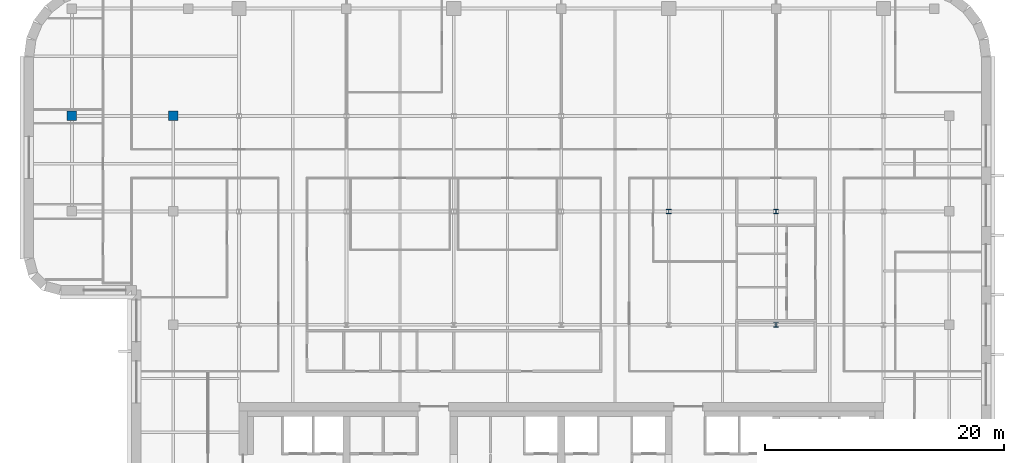
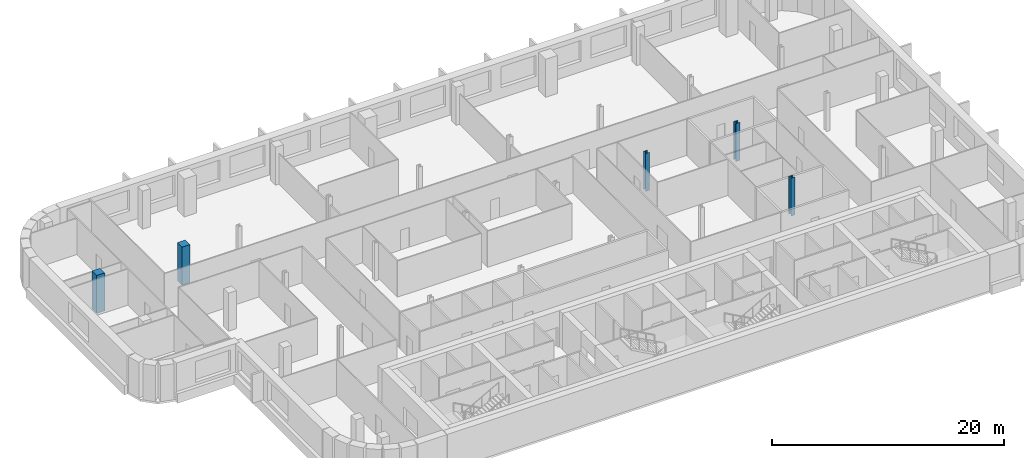
# One storey, part 2 of 17: 5 columns.
"""IFC4 building model written with IfcOpenShell, lengths in metres."""

import ifcopenshell
import ifcopenshell.guid

model = None  # the IFC model being written
_history = None  # IfcOwnerHistory: only IFC2X3 demands one
_inside = {}  # id of a spatial element -> (the spatial element, [elements in it])
_under = {}  # id of a project, library or spatial element -> (it, [spatial elements below it])
_declared = {}  # id of a project -> (the project, [libraries it declares])
_typed = {}  # id of a type object -> (the type object, [elements of that type])
_made_of = {}  # id of a material, layer set ... -> (it, [elements and type objects made of it])


def new_model(schema):
    """Start an empty IFC model of exactly this schema.

    Asked for "IFC4X3", IfcOpenShell would pick the latest addendum, in which some entities
    have other attributes; the version numbers below select the first issue.
    IFC2X3 requires an IfcOwnerHistory on every rooted entity: one is made here for all.
    """
    global model, _history
    if schema == "IFC4X3":
        model = ifcopenshell.file(schema_version=(4, 3, 0, 0))
    else:
        model = ifcopenshell.file(schema=schema)
    _inside.clear()
    _under.clear()
    _declared.clear()
    _typed.clear()
    _made_of.clear()
    _history = None
    if model.schema == "IFC2X3":
        org = make("IfcOrganization", Name="unknown")
        user = make(
            "IfcPersonAndOrganization",
            ThePerson=make("IfcPerson", FamilyName="unknown"),
            TheOrganization=org,
        )
        app = make(
            "IfcApplication",
            ApplicationDeveloper=org,
            Version="unknown",
            ApplicationFullName="unknown",
            ApplicationIdentifier="unknown",
        )
        _history = make(
            "IfcOwnerHistory",
            OwningUser=user,
            OwningApplication=app,
            ChangeAction="ADDED",
            CreationDate=0,
        )
    return model


def make(cls, **values):
    """One entity of the class cls with the attributes given. An attribute that is None is left unset."""
    return model.create_entity(
        cls, **{name: value for name, value in values.items() if value is not None}
    )


def rooted(cls, **values):
    """An entity with a GlobalId (a new one), such as an element, a storey or a relation."""
    return make(cls, GlobalId=ifcopenshell.guid.new(), OwnerHistory=_history, **values)


def si_unit(unit_type, name, prefix=None):
    """IfcSIUnit, for example si_unit("LENGTHUNIT", "METRE", prefix="MILLI")."""
    return make("IfcSIUnit", UnitType=unit_type, Prefix=prefix, Name=name)


def assignment(units):
    """IfcUnitAssignment: the units of a project."""
    return None if units is None else make("IfcUnitAssignment", Units=units)


def point(xyz):
    """IfcCartesianPoint."""
    return None if xyz is None else make("IfcCartesianPoint", Coordinates=xyz)


def direction(xyz):
    """IfcDirection."""
    return None if xyz is None else make("IfcDirection", DirectionRatios=xyz)


def frame(location, z_axis=None, x_axis=None):
    """IfcAxis2Placement3D, a coordinate frame: its origin and axes. An axis left out is left unset."""
    return make(
        "IfcAxis2Placement3D",
        Location=point(location),
        Axis=direction(z_axis),
        RefDirection=direction(x_axis),
    )


def frame_2d(location, x_axis=None):
    """IfcAxis2Placement2D, a coordinate frame in the plane: its origin and x axis."""
    return make(
        "IfcAxis2Placement2D", Location=point(location), RefDirection=direction(x_axis)
    )


def origin():
    """The frame at (0, 0, 0) with its axes left unset."""
    return frame((0.0, 0.0, 0.0))


def origin_2d():
    """The frame at (0, 0) in the plane with its x axis left unset."""
    return frame_2d((0.0, 0.0))


def place(relative_to, where):
    """IfcLocalPlacement: puts the frame where relative to a parent placement (None: the world)."""
    return make(
        "IfcLocalPlacement", PlacementRelTo=relative_to, RelativePlacement=where
    )


def context(
    kind, dimensions, precision=None, world=None, true_north=None, identifier=None
):
    """IfcGeometricRepresentationContext, for example the 3D "Model" context."""
    return make(
        "IfcGeometricRepresentationContext",
        ContextIdentifier=identifier,
        ContextType=kind,
        CoordinateSpaceDimension=dimensions,
        Precision=precision,
        WorldCoordinateSystem=world,
        TrueNorth=true_north,
    )


def subcontext(parent, identifier, kind, view, scale=None):
    """IfcGeometricRepresentationSubContext, for example "Body" below "Model"."""
    return make(
        "IfcGeometricRepresentationSubContext",
        ContextIdentifier=identifier,
        ContextType=kind,
        ParentContext=parent,
        TargetScale=scale,
        TargetView=view,
    )


def project(units=None, contexts=None):
    """IfcProject with its units and contexts."""
    return rooted(
        "IfcProject",
        Name="project",
        RepresentationContexts=contexts,
        UnitsInContext=assignment(units),
    )


def spatial(cls, under=None, at=None, **own):
    """A site, building, storey or space (cls), placed at a placement, below another one or the project."""
    s = rooted(cls, ObjectPlacement=at, **own)
    if under is not None:
        _under.setdefault(under.id(), (under, []))[1].append(s)
    return s


def profile(cls, at=None, kind="AREA", **sizes):
    """A parametric profile (cls). Its sizes go by their IFC names, for example OverallWidth=200.0."""
    return make(cls, ProfileType=kind, Position=at, **sizes)


def rectangle(**sizes):
    """IfcRectangleProfileDef."""
    return profile("IfcRectangleProfileDef", **sizes)


def i_section(**sizes):
    """IfcIShapeProfileDef."""
    return profile("IfcIShapeProfileDef", **sizes)


def extrude(swept, where, along, depth):
    """IfcExtrudedAreaSolid: the profile swept, set in the frame where, extruded along a direction by depth."""
    return make(
        "IfcExtrudedAreaSolid",
        SweptArea=swept,
        Position=where,
        ExtrudedDirection=direction(along),
        Depth=depth,
    )


def shape(context_of_items, identifier, shape_type, items):
    """IfcShapeRepresentation: the items that make up one representation, for example the "Body"."""
    return make(
        "IfcShapeRepresentation",
        ContextOfItems=context_of_items,
        RepresentationIdentifier=identifier,
        RepresentationType=shape_type,
        Items=items,
    )


def material(Name=None, Category=None):
    """IfcMaterial."""
    return make("IfcMaterial", Name=Name, Category=Category)


def material_profile(
    of_material, cross_section, Name=None, Category=None, Priority=None
):
    """IfcMaterialProfile: a cross section and its material."""
    return make(
        "IfcMaterialProfile",
        Name=Name,
        Material=of_material,
        Profile=cross_section,
        Priority=Priority,
        Category=Category,
    )


def profile_set(profiles, Name=None, composite=None):
    """IfcMaterialProfileSet."""
    return make(
        "IfcMaterialProfileSet",
        Name=Name,
        MaterialProfiles=profiles,
        CompositeProfile=composite,
    )


def made_of(thing, what):
    """Note that an element or type object is made of a material, layer set ...; save() writes the relation."""
    if what is not None:
        _made_of.setdefault(what.id(), (what, []))[1].append(thing)
    return thing


def type_object(cls, material=None, **own):
    """A type object (cls), such as IfcWallType, which elements share."""
    return made_of(rooted(cls, **own), material)


def element(
    cls,
    number,
    at=None,
    inside=None,
    cuts=None,
    type_object=None,
    material=None,
    context=None,
    identifier="Body",
    shape_type=None,
    held_by="IfcProductDefinitionShape",
    body=None,
    shapes=None,
    **own,
):
    """One element of the class cls, such as IfcWall. Its Tag is "e" and its number.

    at: its placement. inside: the storey or other place that contains it. cuts: it is an
    opening in that element (IfcRelVoidsElement). A single representation is given by context,
    identifier, shape_type and body (its items); several are given by shapes. held_by: the class
    of the entity that holds the representations. save() writes the other relations.
    """
    e = rooted(cls, Tag="e%d" % number, ObjectPlacement=at, **own)
    if body is not None:
        shapes = [shape(context, identifier, shape_type, body)]
    if shapes is not None:
        e.Representation = make(held_by, Representations=shapes)
    if inside is not None:
        _inside.setdefault(inside.id(), (inside, []))[1].append(e)
    if cuts is not None:
        rooted(
            "IfcRelVoidsElement", RelatingBuildingElement=cuts, RelatedOpeningElement=e
        )
    if type_object is not None:
        _typed.setdefault(type_object.id(), (type_object, []))[1].append(e)
    return made_of(e, material)


def aggregate(whole, parts):
    """IfcRelAggregates: a whole, such as a stair, and the parts it consists of."""
    return rooted("IfcRelAggregates", RelatingObject=whole, RelatedObjects=parts)


def save(model, path):
    """Write the relations noted so far, then the file.

    IfcRelAggregates (storeys below a building ...), IfcRelContainedInSpatialStructure (elements
    in a storey), IfcRelDefinesByType, IfcRelAssociatesMaterial and IfcRelDeclares: one each for
    every whole, place, type object, material and project.
    """
    for whole, parts in _under.values():
        aggregate(whole, parts)
    for where, things in _inside.values():
        rooted(
            "IfcRelContainedInSpatialStructure",
            RelatedElements=things,
            RelatingStructure=where,
        )
    for kind, things in _typed.values():
        rooted("IfcRelDefinesByType", RelatedObjects=things, RelatingType=kind)
    for what, things in _made_of.values():
        rooted("IfcRelAssociatesMaterial", RelatedObjects=things, RelatingMaterial=what)
    for by, libraries in _declared.values():
        rooted("IfcRelDeclares", RelatingContext=by, RelatedDefinitions=libraries)
    model.write(path)


model = new_model("IFC4")

# Units and contexts
model_context = context("Model", 3, precision=1e-05, world=origin(), true_north=direction((0.0, 1.0)))
body_context = subcontext(model_context, "Body", "Model", "MODEL_VIEW")
ifc_project = project(units=[si_unit("LENGTHUNIT", "METRE"), si_unit("AREAUNIT", "SQUARE_METRE"), si_unit("VOLUMEUNIT", "CUBIC_METRE"), si_unit("PLANEANGLEUNIT", "RADIAN"), si_unit("MASSUNIT", "GRAM", prefix="KILO")], contexts=[model_context])

# Site, building, storey
site_placement = place(None, origin())
site = spatial("IfcSite", under=ifc_project, at=site_placement, CompositionType="ELEMENT")
building_placement = place(site_placement, origin())
building = spatial("IfcBuilding", under=site, at=building_placement, Name="Zellij Exchange Tower", CompositionType="ELEMENT")
storey_placement = place(building_placement, frame((0.0, 0.0, 224.5)))
storey = spatial("IfcBuildingStorey", under=building, at=storey_placement, Name="L52", CompositionType="ELEMENT", Elevation=224.5)

# Columns
ifc_material_1 = material(Name="Concrete C50/60", Category="concrete")
ifc_material_profile_1 = material_profile(ifc_material_1, rectangle(XDim=0.800048828125, YDim=0.800048828125, at=origin_2d()), Name="STR-COLUMN RC800x800 C50/60")
ifc_profile_set_1 = profile_set([ifc_material_profile_1], Name="Concrete C50/60")
column_type_1 = type_object("IfcColumnType", Name="STR-COLUMN RC800x800 C50/60", PredefinedType="COLUMN", material=ifc_profile_set_1)
for number, where, z_axis, x_axis, name in (
    (1, (-41.0, 22.0, 0.0), (0.0, 0.0, 1.0), (1.0, 0.0, 0.0), "C15"),
    (2, (-32.5, 22.0, 0.0), (0.0, 0.0, 1.0), (1.0, 0.0, 0.0), "C15"),
):
    element("IfcColumn", number, at=place(storey_placement, frame(where, z_axis=z_axis, x_axis=x_axis)), inside=storey, type_object=column_type_1, Name=name, PredefinedType="COLUMN", context=body_context, shape_type="SweptSolid", body=[
        extrude(rectangle(XDim=0.800048828125, YDim=0.800048828125, at=origin_2d()), origin(), (0.0, 0.0, 1.0), 4.0),
    ])
ifc_material_2 = material(Name="Structural steel ASTM A992 Gr 50", Category="steel")
ifc_material_profile_2 = material_profile(ifc_material_2, i_section(OverallWidth=0.398681640625, OverallDepth=0.385986328125, WebThickness=0.02099609375, FlangeThickness=0.033203125, at=origin_2d()), Name="W14x176")
ifc_profile_set_2 = profile_set([ifc_material_profile_2], Name="Structural steel ASTM A992 Gr 50")
column_type_2 = type_object("IfcColumnType", Name="STR-COLUMN W14x176", PredefinedType="COLUMN", material=ifc_profile_set_2)
for number, where, z_axis, x_axis, name in (
    (3, (18.0, 4.5, 0.0), (0.0, 0.0, 1.0), (1.0, 0.0, 0.0), "C2"),
    (4, (9.0, 14.0, 0.0), (0.0, 0.0, 1.0), (1.0, 0.0, 0.0), "C2"),
    (5, (18.0, 14.0, 0.0), (0.0, 0.0, 1.0), (1.0, 0.0, 0.0), "C2"),
):
    element("IfcColumn", number, at=place(storey_placement, frame(where, z_axis=z_axis, x_axis=x_axis)), inside=storey, type_object=column_type_2, Name=name, PredefinedType="COLUMN", context=body_context, shape_type="SweptSolid", body=[
        extrude(i_section(OverallWidth=0.398681640625, OverallDepth=0.385986328125, WebThickness=0.02099609375, FlangeThickness=0.033203125, at=origin_2d()), origin(), (0.0, 0.0, 1.0), 4.0),
    ])

save(model, "model.ifc")
